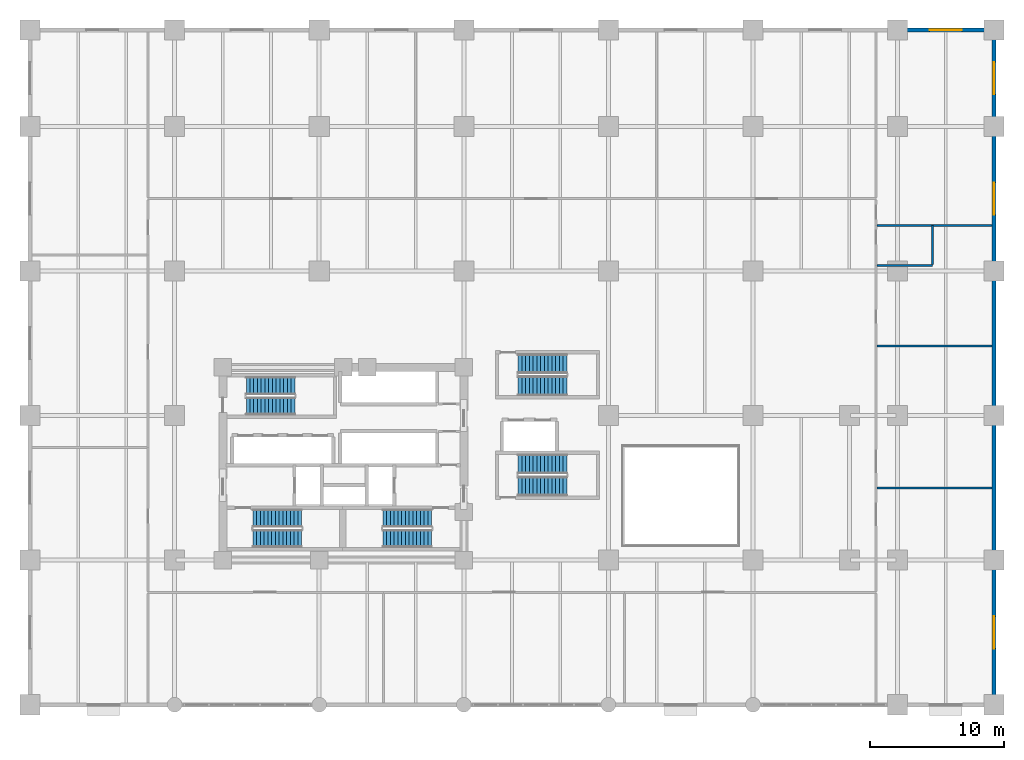
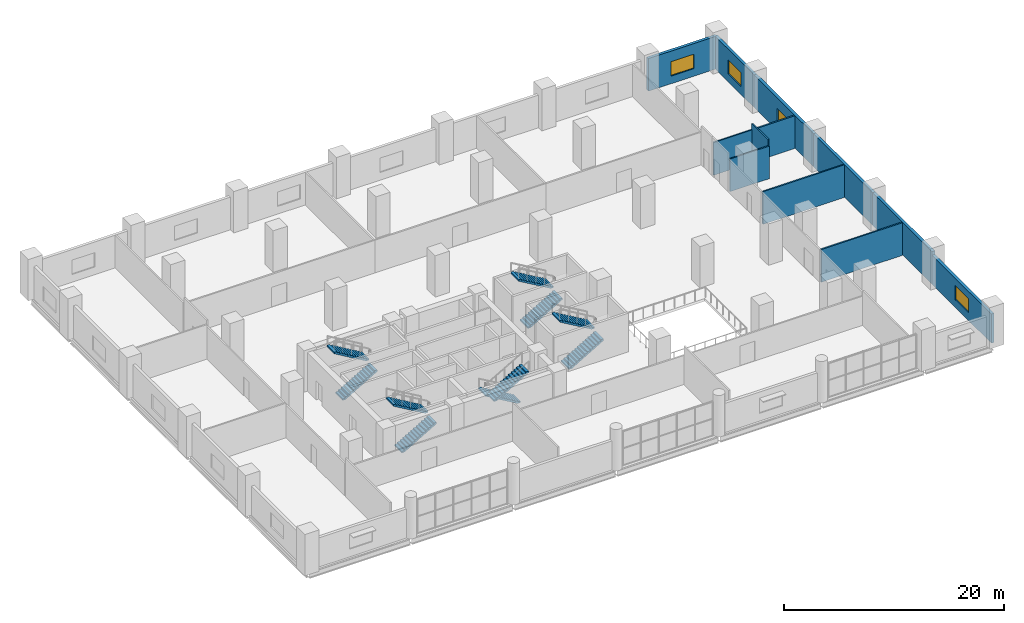
# One storey, part 13 of 16: 11 walls, 10 stair flights, 4 windows, 4 openings, 5 elements without a shape of their own.
"""IFC4 building model written with IfcOpenShell, lengths in metres."""

from ifc_helpers import new_model, si_unit, direction, frame, frame_2d, origin, place, context, subcontext, project, spatial, polyline, rectangle, outline, extrude, material, layer, layer_set, type_object, element, fill, aggregate, save


model = new_model("IFC4")

# Units and contexts
model_context = context("Model", 3, precision=1e-05, world=origin(), true_north=direction((0.0, 1.0)))
body_context = subcontext(model_context, "Body", "Model", "MODEL_VIEW")
ifc_project = project(units=[si_unit("LENGTHUNIT", "METRE"), si_unit("AREAUNIT", "SQUARE_METRE"), si_unit("VOLUMEUNIT", "CUBIC_METRE"), si_unit("PLANEANGLEUNIT", "RADIAN"), si_unit("MASSUNIT", "GRAM", prefix="KILO")], contexts=[model_context])

# Site, building, storey
site_placement = place(None, origin())
site = spatial("IfcSite", under=ifc_project, at=site_placement, CompositionType="ELEMENT")
building_placement = place(site_placement, origin())
building = spatial("IfcBuilding", under=site, at=building_placement, Name="Solnavia Interchange Tower", CompositionType="ELEMENT")
storey_placement = place(building_placement, frame((0.0, 0.0, 10.199951171875)))
storey = spatial("IfcBuildingStorey", under=building, at=storey_placement, Name="L02", CompositionType="ELEMENT", Elevation=10.199951171875)

# Wall, opening, window
ifc_material_1 = material(Name="Concrete C40/50", Category="concrete")
ifc_layer_1 = layer(ifc_material_1, 0.300048828125)
ifc_layer_set_1 = layer_set([ifc_layer_1], Name="Concrete C40/50")
wall_type_1 = type_object("IfcWallType", Name="Wall-ExtSpandrel-300", PredefinedType="STANDARD", material=ifc_layer_set_1)
wall_1_placement = place(storey_placement, frame((72.0, 10.800048828125, 0.0), z_axis=(0.0, 0.0, 1.0), x_axis=(0.0, -1.0, 0.0)))
wall_1 = element("IfcWall", 1, at=wall_1_placement, inside=storey, type_object=wall_type_1, Name="EXW-L02-E01 East podium wall", PredefinedType="STANDARD", context=body_context, shape_type="SweptSolid", body=[
    extrude(rectangle(XDim=10.800048828125, YDim=0.300048828125, at=frame_2d((5.39990234375, 0.0))), origin(), (0.0, 0.0, 1.0), 3.22998046875),
])
opening_1_placement = place(wall_1_placement, frame((4.199951171875, 0.0, 0.85009765625)))
opening_1 = element("IfcOpeningElement", 2, at=opening_1_placement, cuts=wall_1, Name="Opening WIN-06", PredefinedType="OPENING", context=body_context, shape_type="SweptSolid", body=[
    extrude(rectangle(XDim=2.39990234375, YDim=1.60009765625, at=frame_2d((1.199951171875, 0.800048828125))), frame((0.0, 0.16015625, 0.0), z_axis=(0.0, -1.0, 0.0), x_axis=(1.0, 0.0, 0.0)), (0.0, 0.0, 1.0), 0.320068359375),
])
ifc_material_2 = material(Name="Thermal-Break Aluminium & Low-E Glass", Category="aluminium")
window_type = type_object("IfcWindowType", Name="Window-Podium-2400x1600", PartitioningType="SINGLE_PANEL", PredefinedType="WINDOW", material=ifc_material_2)
window_1_placement = place(opening_1_placement, origin())
window_1 = element("IfcWindow", 3, at=window_1_placement, inside=storey, type_object=window_type, Name="WIN-L02-E01 East podium window", OverallHeight=1.60009765625, OverallWidth=2.39990234375, PartitioningType="SINGLE_PANEL", PredefinedType="WINDOW", context=body_context, shape_type="SweptSolid", body=[
    extrude(rectangle(XDim=2.39990234375, YDim=1.60009765625, at=frame_2d((1.199951171875, 0.800048828125))), frame((0.0, 0.030029296875, 0.0), z_axis=(0.0, -1.0, 0.0), x_axis=(1.0, 0.0, 0.0)), (0.0, 0.0, 1.0), 0.06005859375),
])
fill(opening_1, window_1)

# Walls
wall_2_placement = place(storey_placement, frame((72.0, 21.60009765625, 0.0), z_axis=(0.0, 0.0, 1.0), x_axis=(0.0, -1.0, 0.0)))
element("IfcWall", 4, at=wall_2_placement, inside=storey, type_object=wall_type_1, Name="EXW-L02-E02 East podium wall", PredefinedType="STANDARD", context=body_context, shape_type="SweptSolid", body=[
    extrude(rectangle(XDim=10.800048828125, YDim=0.300048828125, at=frame_2d((5.39990234375, 0.0))), origin(), (0.0, 0.0, 1.0), 3.630126953125),
])
wall_3_placement = place(storey_placement, frame((72.0, 32.39990234375, 0.0), z_axis=(0.0, 0.0, 1.0), x_axis=(0.0, -1.0, 0.0)))
element("IfcWall", 5, at=wall_3_placement, inside=storey, type_object=wall_type_1, Name="EXW-L02-E03 East podium wall", PredefinedType="STANDARD", context=body_context, shape_type="SweptSolid", body=[
    extrude(rectangle(XDim=10.7998046875, YDim=0.300048828125, at=frame_2d((5.39990234375, 0.0))), origin(), (0.0, 0.0, 1.0), 3.630126953125),
])

# Wall, opening, window
wall_4_placement = place(storey_placement, frame((72.0, 43.199951171875, 0.0), z_axis=(0.0, 0.0, 1.0), x_axis=(0.0, -1.0, 0.0)))
wall_4 = element("IfcWall", 6, at=wall_4_placement, inside=storey, type_object=wall_type_1, Name="EXW-L02-E04 East podium wall", PredefinedType="STANDARD", context=body_context, shape_type="SweptSolid", body=[
    extrude(rectangle(XDim=10.800048828125, YDim=0.300048828125, at=frame_2d((5.39990234375, 0.0))), origin(), (0.0, 0.0, 1.0), 3.630126953125),
])
opening_2_placement = place(wall_4_placement, frame((4.199951171875, 0.0, 0.85009765625)))
opening_2 = element("IfcOpeningElement", 7, at=opening_2_placement, cuts=wall_4, Name="Opening WIN-06", PredefinedType="OPENING", context=body_context, shape_type="SweptSolid", body=[
    extrude(rectangle(XDim=2.39990234375, YDim=1.60009765625, at=frame_2d((1.199951171875, 0.800048828125))), frame((0.0, 0.16015625, 0.0), z_axis=(0.0, -1.0, 0.0), x_axis=(1.0, 0.0, 0.0)), (0.0, 0.0, 1.0), 0.320068359375),
])
window_2_placement = place(opening_2_placement, origin())
window_2 = element("IfcWindow", 8, at=window_2_placement, inside=storey, type_object=window_type, Name="WIN-L02-E04 East podium window", OverallHeight=1.60009765625, OverallWidth=2.39990234375, PartitioningType="SINGLE_PANEL", PredefinedType="WINDOW", context=body_context, shape_type="SweptSolid", body=[
    extrude(rectangle(XDim=2.39990234375, YDim=1.60009765625, at=frame_2d((1.199951171875, 0.800048828125))), frame((0.0, 0.030029296875, 0.0), z_axis=(0.0, -1.0, 0.0), x_axis=(1.0, 0.0, 0.0)), (0.0, 0.0, 1.0), 0.06005859375),
])
fill(opening_2, window_2)

wall_5_placement = place(storey_placement, frame((72.0, 50.39990234375, 0.0), z_axis=(0.0, 0.0, 1.0), x_axis=(0.0, -1.0, 0.0)))
wall_5 = element("IfcWall", 9, at=wall_5_placement, inside=storey, type_object=wall_type_1, Name="EXW-L02-E05 East podium wall", PredefinedType="STANDARD", context=body_context, shape_type="SweptSolid", body=[
    extrude(rectangle(XDim=7.199951171875, YDim=0.300048828125, at=frame_2d((3.60009765625, 0.0))), origin(), (0.0, 0.0, 1.0), 3.630126953125),
])
opening_3_placement = place(wall_5_placement, frame((2.39990234375, 0.0, 0.85009765625)))
opening_3 = element("IfcOpeningElement", 10, at=opening_3_placement, cuts=wall_5, Name="Opening WIN-06", PredefinedType="OPENING", context=body_context, shape_type="SweptSolid", body=[
    extrude(rectangle(XDim=2.39990234375, YDim=1.60009765625, at=frame_2d((1.199951171875, 0.800048828125))), frame((0.0, 0.16015625, 0.0), z_axis=(0.0, -1.0, 0.0), x_axis=(1.0, 0.0, 0.0)), (0.0, 0.0, 1.0), 0.320068359375),
])
window_3_placement = place(opening_3_placement, origin())
window_3 = element("IfcWindow", 11, at=window_3_placement, inside=storey, type_object=window_type, Name="WIN-L02-E05 East podium window", OverallHeight=1.60009765625, OverallWidth=2.39990234375, PartitioningType="SINGLE_PANEL", PredefinedType="WINDOW", context=body_context, shape_type="SweptSolid", body=[
    extrude(rectangle(XDim=2.39990234375, YDim=1.60009765625, at=frame_2d((1.199951171875, 0.800048828125))), frame((0.0, 0.030029296875, 0.0), z_axis=(0.0, -1.0, 0.0), x_axis=(1.0, 0.0, 0.0)), (0.0, 0.0, 1.0), 0.06005859375),
])
fill(opening_3, window_3)

wall_6_placement = place(storey_placement, frame((64.800048828125, 50.39990234375, 0.0), z_axis=(0.0, 0.0, 1.0), x_axis=(1.0, 0.0, 0.0)))
wall_6 = element("IfcWall", 12, at=wall_6_placement, inside=storey, type_object=wall_type_1, Name="EXW-L02-N07 North podium wall", PredefinedType="STANDARD", context=body_context, shape_type="SweptSolid", body=[
    extrude(rectangle(XDim=7.199951171875, YDim=0.300048828125, at=frame_2d((3.60009765625, 0.0))), origin(), (0.0, 0.0, 1.0), 3.630126953125),
])
opening_4_placement = place(wall_6_placement, frame((2.39990234375, 0.0, 0.85009765625)))
opening_4 = element("IfcOpeningElement", 13, at=opening_4_placement, cuts=wall_6, Name="Opening WIN-06", PredefinedType="OPENING", context=body_context, shape_type="SweptSolid", body=[
    extrude(rectangle(XDim=2.39990234375, YDim=1.60009765625, at=frame_2d((1.199951171875, 0.800048828125))), frame((0.0, 0.16015625, 0.0), z_axis=(0.0, -1.0, 0.0), x_axis=(1.0, 0.0, 0.0)), (0.0, 0.0, 1.0), 0.320068359375),
])
window_4_placement = place(opening_4_placement, origin())
window_4 = element("IfcWindow", 14, at=window_4_placement, inside=storey, type_object=window_type, Name="WIN-L02-N07 North podium window", OverallHeight=1.60009765625, OverallWidth=2.39990234375, PartitioningType="SINGLE_PANEL", PredefinedType="WINDOW", context=body_context, shape_type="SweptSolid", body=[
    extrude(rectangle(XDim=2.39990234375, YDim=1.60009765625, at=frame_2d((1.199951171875, 0.800048828125))), frame((0.0, 0.030029296875, 0.0), z_axis=(0.0, -1.0, 0.0), x_axis=(1.0, 0.0, 0.0)), (0.0, 0.0, 1.0), 0.06005859375),
])
fill(opening_4, window_4)

# Walls
ifc_material_3 = material(Name="Gypsum Plasterboard & Steel Stud", Category="steel")
ifc_layer_2 = layer(ifc_material_3, 0.14990234375)
ifc_layer_set_2 = layer_set([ifc_layer_2], Name="Gypsum Plasterboard & Steel Stud")
wall_type_2 = type_object("IfcWallType", Name="Wall-Partition-150", PredefinedType="PARTITIONING", material=ifc_layer_set_2)
wall_7_placement = place(storey_placement, frame((63.279052734375, 16.199951171875, 0.0), z_axis=(0.0, 0.0, 1.0), x_axis=(1.0, 0.0, 0.0)))
element("IfcWall", 15, at=wall_7_placement, inside=storey, type_object=wall_type_2, Name="PTW-L02-20 Interior partition wall", PredefinedType="PARTITIONING", context=body_context, shape_type="SweptSolid", body=[
    extrude(rectangle(XDim=8.56689453125, YDim=0.14990234375, at=frame_2d((4.283447265625, 0.0))), origin(), (0.0, 0.0, 1.0), 3.630126953125),
])
ifc_material_4 = material(Name="Moisture-Resistant Gypsum & Steel Stud", Category="steel")
ifc_layer_3 = layer(ifc_material_4, 0.14990234375)
ifc_layer_set_3 = layer_set([ifc_layer_3], Name="Moisture-Resistant Gypsum & Steel Stud")
wall_type_3 = type_object("IfcWallType", Name="Wall-WetRoom-150", PredefinedType="PARTITIONING", material=ifc_layer_set_3)
wall_8_placement = place(storey_placement, frame((63.279052734375, 26.800048828125, 0.0), z_axis=(0.0, 0.0, 1.0), x_axis=(1.0, 0.0, 0.0)))
element("IfcWall", 16, at=wall_8_placement, inside=storey, type_object=wall_type_3, Name="PTW-L02-22 Interior partition wall", PredefinedType="PARTITIONING", context=body_context, shape_type="SweptSolid", body=[
    extrude(rectangle(XDim=8.56689453125, YDim=0.14990234375, at=frame_2d((4.283447265625, 0.0))), origin(), (0.0, 0.0, 1.0), 3.630126953125),
])
wall_9_placement = place(storey_placement, frame((63.279052734375, 32.800048828125, 0.0), z_axis=(0.0, 0.0, 1.0), x_axis=(1.0, 0.0, 0.0)))
element("IfcWall", 17, at=wall_9_placement, inside=storey, type_object=wall_type_3, Name="PTW-L02-24 Interior partition wall", PredefinedType="PARTITIONING", context=body_context, shape_type="SweptSolid", body=[
    extrude(rectangle(XDim=4.120849609375, YDim=0.14990234375, at=frame_2d((2.060546875, 0.0))), origin(), (0.0, 0.0, 1.0), 3.630126953125),
])
wall_10_placement = place(storey_placement, frame((67.39990234375, 32.87890625, 0.0), z_axis=(0.0, 0.0, 1.0), x_axis=(0.0, 1.0, 0.0)))
element("IfcWall", 18, at=wall_10_placement, inside=storey, type_object=wall_type_3, Name="PTW-L02-25 Interior partition wall", PredefinedType="PARTITIONING", context=body_context, shape_type="SweptSolid", body=[
    extrude(rectangle(XDim=2.921142578125, YDim=0.14990234375, at=frame_2d((1.46044921875, 0.0))), origin(), (0.0, 0.0, 1.0), 4.28515625),
])
wall_11_placement = place(storey_placement, frame((63.279052734375, 35.800048828125, 0.0), z_axis=(0.0, 0.0, 1.0), x_axis=(1.0, 0.0, 0.0)))
element("IfcWall", 19, at=wall_11_placement, inside=storey, type_object=wall_type_3, Name="PTW-L02-27 Interior partition wall", PredefinedType="PARTITIONING", context=body_context, shape_type="SweptSolid", body=[
    extrude(rectangle(XDim=8.56689453125, YDim=0.14990234375, at=frame_2d((4.283447265625, 0.0))), origin(), (0.0, 0.0, 1.0), 3.630126953125),
])

# Stair, stair flights
stair_type = type_object("IfcStairType", Name="Stair-Dogleg-RC", PredefinedType="HALF_TURN_STAIR", material=ifc_material_1)
stair_1_placement = place(storey_placement, origin())
stair_1 = element("IfcStair", 20, at=stair_1_placement, inside=storey, type_object=stair_type, Name="L02 Core exit stair 1", PredefinedType="HALF_TURN_STAIR")
stair_flight_type = type_object("IfcStairFlightType", Name="StairFlight-RC-150", PredefinedType="STRAIGHT", material=ifc_material_1)
stair_flight_1_placement = place(storey_placement, frame((16.64990234375, 12.409912109375, 0.0), z_axis=(0.0, 0.0, 1.0), x_axis=(1.0, 0.0, 0.0)))
stair_flight_1 = element("IfcStairFlight", 21, at=stair_flight_1_placement, type_object=stair_flight_type, Name="ST-1 flight 1", NumberOfRisers=14, NumberOfTreads=13, PredefinedType="STRAIGHT", RiserHeight=0.164285714, TreadLength=0.28, context=body_context, shape_type="SweptSolid", body=[
    extrude(outline(polyline([(0.0, 0.0), (0.0, 0.164306640625), (0.280029296875, 0.164306640625), (0.280029296875, 0.32861328125), (0.56005859375, 0.32861328125), (0.56005859375, 0.492919921875), (0.840087890625, 0.492919921875), (0.840087890625, 0.6572265625), (1.1201171875, 0.6572265625), (1.1201171875, 0.821533203125), (1.39990234375, 0.821533203125), (1.39990234375, 0.985595703125), (1.679931640625, 0.985595703125), (1.679931640625, 1.14990234375), (1.9599609375, 1.14990234375), (1.9599609375, 1.314208984375), (2.239990234375, 1.314208984375), (2.239990234375, 1.478515625), (2.52001953125, 1.478515625), (2.52001953125, 1.642822265625), (2.800048828125, 1.642822265625), (2.800048828125, 1.80712890625), (3.080078125, 1.80712890625), (3.080078125, 1.971435546875), (3.360107421875, 1.971435546875), (3.360107421875, 2.1357421875), (3.639892578125, 2.1357421875), (3.639892578125, 2.300048828125), (3.639892578125, 1.9619140625), (0.296142578125, 0.0), (0.0, 0.0)])), frame((0.0, 0.66015625, 0.0), z_axis=(0.0, -1.0, 0.0), x_axis=(1.0, 0.0, 0.0)), (0.0, 0.0, 1.0), 1.320068359375),
])
stair_flight_2_placement = place(storey_placement, frame((20.2900390625, 13.929931640625, 2.300048828125), z_axis=(0.0, 0.0, 1.0), x_axis=(-1.0, 0.0, 0.0)))
stair_flight_2 = element("IfcStairFlight", 22, at=stair_flight_2_placement, type_object=stair_flight_type, Name="ST-1 flight 2", NumberOfRisers=14, NumberOfTreads=13, PredefinedType="STRAIGHT", RiserHeight=0.164285714, TreadLength=0.28, context=body_context, shape_type="SweptSolid", body=[
    extrude(outline(polyline([(0.0, 0.0), (0.0, 0.164306640625), (0.280029296875, 0.164306640625), (0.280029296875, 0.32861328125), (0.56005859375, 0.32861328125), (0.56005859375, 0.492919921875), (0.840087890625, 0.492919921875), (0.840087890625, 0.6572265625), (1.1201171875, 0.6572265625), (1.1201171875, 0.821533203125), (1.39990234375, 0.821533203125), (1.39990234375, 0.985595703125), (1.679931640625, 0.985595703125), (1.679931640625, 1.14990234375), (1.9599609375, 1.14990234375), (1.9599609375, 1.314208984375), (2.239990234375, 1.314208984375), (2.239990234375, 1.478515625), (2.52001953125, 1.478515625), (2.52001953125, 1.642822265625), (2.800048828125, 1.642822265625), (2.800048828125, 1.80712890625), (3.080078125, 1.80712890625), (3.080078125, 1.971435546875), (3.360107421875, 1.971435546875), (3.360107421875, 2.1357421875), (3.639892578125, 2.1357421875), (3.639892578125, 2.300048828125), (3.639892578125, 1.9619140625), (0.296142578125, 0.0), (0.0, 0.0)])), frame((0.0, 0.66015625, 0.0), z_axis=(0.0, -1.0, 0.0), x_axis=(1.0, 0.0, 0.0)), (0.0, 0.0, 1.0), 1.320068359375),
])
aggregate(stair_1, [stair_flight_1, stair_flight_2])

stair_2_placement = place(storey_placement, origin())
stair_2 = element("IfcStair", 23, at=stair_2_placement, inside=storey, type_object=stair_type, Name="L02 Core exit stair 2", PredefinedType="HALF_TURN_STAIR")
stair_flight_3_placement = place(storey_placement, frame((30.0, 13.929931640625, 0.0), z_axis=(0.0, 0.0, 1.0), x_axis=(-1.0, 0.0, 0.0)))
stair_flight_3 = element("IfcStairFlight", 24, at=stair_flight_3_placement, type_object=stair_flight_type, Name="ST-2 flight 1", NumberOfRisers=14, NumberOfTreads=13, PredefinedType="STRAIGHT", RiserHeight=0.164285714, TreadLength=0.28, context=body_context, shape_type="SweptSolid", body=[
    extrude(outline(polyline([(0.0, 0.0), (0.0, 0.164306640625), (0.280029296875, 0.164306640625), (0.280029296875, 0.32861328125), (0.56005859375, 0.32861328125), (0.56005859375, 0.492919921875), (0.840087890625, 0.492919921875), (0.840087890625, 0.6572265625), (1.1201171875, 0.6572265625), (1.1201171875, 0.821533203125), (1.39990234375, 0.821533203125), (1.39990234375, 0.985595703125), (1.679931640625, 0.985595703125), (1.679931640625, 1.14990234375), (1.9599609375, 1.14990234375), (1.9599609375, 1.314208984375), (2.239990234375, 1.314208984375), (2.239990234375, 1.478515625), (2.52001953125, 1.478515625), (2.52001953125, 1.642822265625), (2.800048828125, 1.642822265625), (2.800048828125, 1.80712890625), (3.080078125, 1.80712890625), (3.080078125, 1.971435546875), (3.360107421875, 1.971435546875), (3.360107421875, 2.1357421875), (3.639892578125, 2.1357421875), (3.639892578125, 2.300048828125), (3.639892578125, 1.9619140625), (0.296142578125, 0.0), (0.0, 0.0)])), frame((0.0, 0.66015625, 0.0), z_axis=(0.0, -1.0, 0.0), x_axis=(1.0, 0.0, 0.0)), (0.0, 0.0, 1.0), 1.320068359375),
])
stair_flight_4_placement = place(storey_placement, frame((26.360107421875, 12.409912109375, 2.300048828125), z_axis=(0.0, 0.0, 1.0), x_axis=(1.0, 0.0, 0.0)))
stair_flight_4 = element("IfcStairFlight", 25, at=stair_flight_4_placement, type_object=stair_flight_type, Name="ST-2 flight 2", NumberOfRisers=14, NumberOfTreads=13, PredefinedType="STRAIGHT", RiserHeight=0.164285714, TreadLength=0.28, context=body_context, shape_type="SweptSolid", body=[
    extrude(outline(polyline([(0.0, 0.0), (0.0, 0.164306640625), (0.280029296875, 0.164306640625), (0.280029296875, 0.32861328125), (0.56005859375, 0.32861328125), (0.56005859375, 0.492919921875), (0.840087890625, 0.492919921875), (0.840087890625, 0.6572265625), (1.1201171875, 0.6572265625), (1.1201171875, 0.821533203125), (1.39990234375, 0.821533203125), (1.39990234375, 0.985595703125), (1.679931640625, 0.985595703125), (1.679931640625, 1.14990234375), (1.9599609375, 1.14990234375), (1.9599609375, 1.314208984375), (2.239990234375, 1.314208984375), (2.239990234375, 1.478515625), (2.52001953125, 1.478515625), (2.52001953125, 1.642822265625), (2.800048828125, 1.642822265625), (2.800048828125, 1.80712890625), (3.080078125, 1.80712890625), (3.080078125, 1.971435546875), (3.360107421875, 1.971435546875), (3.360107421875, 2.1357421875), (3.639892578125, 2.1357421875), (3.639892578125, 2.300048828125), (3.639892578125, 1.9619140625), (0.296142578125, 0.0), (0.0, 0.0)])), frame((0.0, 0.66015625, 0.0), z_axis=(0.0, -1.0, 0.0), x_axis=(1.0, 0.0, 0.0)), (0.0, 0.0, 1.0), 1.320068359375),
])
aggregate(stair_2, [stair_flight_3, stair_flight_4])

stair_3_placement = place(storey_placement, origin())
stair_3 = element("IfcStair", 26, at=stair_3_placement, inside=storey, type_object=stair_type, Name="L02 Core exit stair 3", PredefinedType="HALF_TURN_STAIR")
stair_flight_5_placement = place(storey_placement, frame((16.14990234375, 22.31005859375, 0.0), z_axis=(0.0, 0.0, 1.0), x_axis=(1.0, 0.0, 0.0)))
stair_flight_5 = element("IfcStairFlight", 27, at=stair_flight_5_placement, type_object=stair_flight_type, Name="ST-3 flight 1", NumberOfRisers=14, NumberOfTreads=13, PredefinedType="STRAIGHT", RiserHeight=0.164285714, TreadLength=0.28, context=body_context, shape_type="SweptSolid", body=[
    extrude(outline(polyline([(0.0, 0.0), (0.0, 0.164306640625), (0.280029296875, 0.164306640625), (0.280029296875, 0.32861328125), (0.56005859375, 0.32861328125), (0.56005859375, 0.492919921875), (0.840087890625, 0.492919921875), (0.840087890625, 0.6572265625), (1.1201171875, 0.6572265625), (1.1201171875, 0.821533203125), (1.39990234375, 0.821533203125), (1.39990234375, 0.985595703125), (1.679931640625, 0.985595703125), (1.679931640625, 1.14990234375), (1.9599609375, 1.14990234375), (1.9599609375, 1.314208984375), (2.239990234375, 1.314208984375), (2.239990234375, 1.478515625), (2.52001953125, 1.478515625), (2.52001953125, 1.642822265625), (2.800048828125, 1.642822265625), (2.800048828125, 1.80712890625), (3.080078125, 1.80712890625), (3.080078125, 1.971435546875), (3.360107421875, 1.971435546875), (3.360107421875, 2.1357421875), (3.639892578125, 2.1357421875), (3.639892578125, 2.300048828125), (3.639892578125, 1.9619140625), (0.296142578125, 0.0), (0.0, 0.0)])), frame((0.0, 0.66015625, 0.0), z_axis=(0.0, -1.0, 0.0), x_axis=(1.0, 0.0, 0.0)), (0.0, 0.0, 1.0), 1.320068359375),
])
stair_flight_6_placement = place(storey_placement, frame((19.7900390625, 23.830078125, 2.300048828125), z_axis=(0.0, 0.0, 1.0), x_axis=(-1.0, 0.0, 0.0)))
stair_flight_6 = element("IfcStairFlight", 28, at=stair_flight_6_placement, type_object=stair_flight_type, Name="ST-3 flight 2", NumberOfRisers=14, NumberOfTreads=13, PredefinedType="STRAIGHT", RiserHeight=0.164285714, TreadLength=0.28, context=body_context, shape_type="SweptSolid", body=[
    extrude(outline(polyline([(0.0, 0.0), (0.0, 0.164306640625), (0.280029296875, 0.164306640625), (0.280029296875, 0.32861328125), (0.56005859375, 0.32861328125), (0.56005859375, 0.492919921875), (0.840087890625, 0.492919921875), (0.840087890625, 0.6572265625), (1.1201171875, 0.6572265625), (1.1201171875, 0.821533203125), (1.39990234375, 0.821533203125), (1.39990234375, 0.985595703125), (1.679931640625, 0.985595703125), (1.679931640625, 1.14990234375), (1.9599609375, 1.14990234375), (1.9599609375, 1.314208984375), (2.239990234375, 1.314208984375), (2.239990234375, 1.478515625), (2.52001953125, 1.478515625), (2.52001953125, 1.642822265625), (2.800048828125, 1.642822265625), (2.800048828125, 1.80712890625), (3.080078125, 1.80712890625), (3.080078125, 1.971435546875), (3.360107421875, 1.971435546875), (3.360107421875, 2.1357421875), (3.639892578125, 2.1357421875), (3.639892578125, 2.300048828125), (3.639892578125, 1.9619140625), (0.296142578125, 0.0), (0.0, 0.0)])), frame((0.0, 0.66015625, 0.0), z_axis=(0.0, -1.0, 0.0), x_axis=(1.0, 0.0, 0.0)), (0.0, 0.0, 1.0), 1.320068359375),
])
aggregate(stair_3, [stair_flight_5, stair_flight_6])

stair_4_placement = place(storey_placement, origin())
stair_4 = element("IfcStair", 29, at=stair_4_placement, inside=storey, type_object=stair_type, Name="L02 Podium exit stair 1", PredefinedType="HALF_TURN_STAIR")
stair_flight_7_placement = place(storey_placement, frame((36.449951171875, 16.324951171875, 0.0), z_axis=(0.0, 0.0, 1.0), x_axis=(1.0, 0.0, 0.0)))
stair_flight_7 = element("IfcStairFlight", 30, at=stair_flight_7_placement, type_object=stair_flight_type, Name="ST-P1 flight 1", NumberOfRisers=14, NumberOfTreads=13, PredefinedType="STRAIGHT", RiserHeight=0.164285714, TreadLength=0.28, context=body_context, shape_type="SweptSolid", body=[
    extrude(outline(polyline([(0.0, 0.0), (0.0, 0.164306640625), (0.280029296875, 0.164306640625), (0.280029296875, 0.32861328125), (0.56005859375, 0.32861328125), (0.56005859375, 0.492919921875), (0.840087890625, 0.492919921875), (0.840087890625, 0.6572265625), (1.1201171875, 0.6572265625), (1.1201171875, 0.821533203125), (1.39990234375, 0.821533203125), (1.39990234375, 0.985595703125), (1.679931640625, 0.985595703125), (1.679931640625, 1.14990234375), (1.9599609375, 1.14990234375), (1.9599609375, 1.314208984375), (2.239990234375, 1.314208984375), (2.239990234375, 1.478515625), (2.52001953125, 1.478515625), (2.52001953125, 1.642822265625), (2.800048828125, 1.642822265625), (2.800048828125, 1.80712890625), (3.080078125, 1.80712890625), (3.080078125, 1.971435546875), (3.360107421875, 1.971435546875), (3.360107421875, 2.1357421875), (3.639892578125, 2.1357421875), (3.639892578125, 2.300048828125), (3.639892578125, 1.9619140625), (0.296142578125, 0.0), (0.0, 0.0)])), frame((0.0, 0.72509765625, 0.0), z_axis=(0.0, -1.0, 0.0), x_axis=(1.0, 0.0, 0.0)), (0.0, 0.0, 1.0), 1.449951171875),
])
stair_flight_8_placement = place(storey_placement, frame((40.090087890625, 17.97509765625, 2.300048828125), z_axis=(0.0, 0.0, 1.0), x_axis=(-1.0, 0.0, 0.0)))
stair_flight_8 = element("IfcStairFlight", 31, at=stair_flight_8_placement, type_object=stair_flight_type, Name="ST-P1 flight 2", NumberOfRisers=14, NumberOfTreads=13, PredefinedType="STRAIGHT", RiserHeight=0.164285714, TreadLength=0.28, context=body_context, shape_type="SweptSolid", body=[
    extrude(outline(polyline([(0.0, 0.0), (0.0, 0.164306640625), (0.280029296875, 0.164306640625), (0.280029296875, 0.32861328125), (0.56005859375, 0.32861328125), (0.56005859375, 0.492919921875), (0.840087890625, 0.492919921875), (0.840087890625, 0.6572265625), (1.1201171875, 0.6572265625), (1.1201171875, 0.821533203125), (1.39990234375, 0.821533203125), (1.39990234375, 0.985595703125), (1.679931640625, 0.985595703125), (1.679931640625, 1.14990234375), (1.9599609375, 1.14990234375), (1.9599609375, 1.314208984375), (2.239990234375, 1.314208984375), (2.239990234375, 1.478515625), (2.52001953125, 1.478515625), (2.52001953125, 1.642822265625), (2.800048828125, 1.642822265625), (2.800048828125, 1.80712890625), (3.080078125, 1.80712890625), (3.080078125, 1.971435546875), (3.360107421875, 1.971435546875), (3.360107421875, 2.1357421875), (3.639892578125, 2.1357421875), (3.639892578125, 2.300048828125), (3.639892578125, 1.9619140625), (0.296142578125, 0.0), (0.0, 0.0)])), frame((0.0, 0.72509765625, 0.0), z_axis=(0.0, -1.0, 0.0), x_axis=(1.0, 0.0, 0.0)), (0.0, 0.0, 1.0), 1.449951171875),
])
aggregate(stair_4, [stair_flight_7, stair_flight_8])

stair_5_placement = place(storey_placement, origin())
stair_5 = element("IfcStair", 32, at=stair_5_placement, inside=storey, type_object=stair_type, Name="L02 Podium exit stair 2", PredefinedType="HALF_TURN_STAIR")
stair_flight_9_placement = place(storey_placement, frame((36.449951171875, 23.824951171875, 0.0), z_axis=(0.0, 0.0, 1.0), x_axis=(1.0, 0.0, 0.0)))
stair_flight_9 = element("IfcStairFlight", 33, at=stair_flight_9_placement, type_object=stair_flight_type, Name="ST-P2 flight 1", NumberOfRisers=14, NumberOfTreads=13, PredefinedType="STRAIGHT", RiserHeight=0.164285714, TreadLength=0.28, context=body_context, shape_type="SweptSolid", body=[
    extrude(outline(polyline([(0.0, 0.0), (0.0, 0.164306640625), (0.280029296875, 0.164306640625), (0.280029296875, 0.32861328125), (0.56005859375, 0.32861328125), (0.56005859375, 0.492919921875), (0.840087890625, 0.492919921875), (0.840087890625, 0.6572265625), (1.1201171875, 0.6572265625), (1.1201171875, 0.821533203125), (1.39990234375, 0.821533203125), (1.39990234375, 0.985595703125), (1.679931640625, 0.985595703125), (1.679931640625, 1.14990234375), (1.9599609375, 1.14990234375), (1.9599609375, 1.314208984375), (2.239990234375, 1.314208984375), (2.239990234375, 1.478515625), (2.52001953125, 1.478515625), (2.52001953125, 1.642822265625), (2.800048828125, 1.642822265625), (2.800048828125, 1.80712890625), (3.080078125, 1.80712890625), (3.080078125, 1.971435546875), (3.360107421875, 1.971435546875), (3.360107421875, 2.1357421875), (3.639892578125, 2.1357421875), (3.639892578125, 2.300048828125), (3.639892578125, 1.9619140625), (0.296142578125, 0.0), (0.0, 0.0)])), frame((0.0, 0.72509765625, 0.0), z_axis=(0.0, -1.0, 0.0), x_axis=(1.0, 0.0, 0.0)), (0.0, 0.0, 1.0), 1.449951171875),
])
stair_flight_10_placement = place(storey_placement, frame((40.090087890625, 25.47509765625, 2.300048828125), z_axis=(0.0, 0.0, 1.0), x_axis=(-1.0, 0.0, 0.0)))
stair_flight_10 = element("IfcStairFlight", 34, at=stair_flight_10_placement, type_object=stair_flight_type, Name="ST-P2 flight 2", NumberOfRisers=14, NumberOfTreads=13, PredefinedType="STRAIGHT", RiserHeight=0.164285714, TreadLength=0.28, context=body_context, shape_type="SweptSolid", body=[
    extrude(outline(polyline([(0.0, 0.0), (0.0, 0.164306640625), (0.280029296875, 0.164306640625), (0.280029296875, 0.32861328125), (0.56005859375, 0.32861328125), (0.56005859375, 0.492919921875), (0.840087890625, 0.492919921875), (0.840087890625, 0.6572265625), (1.1201171875, 0.6572265625), (1.1201171875, 0.821533203125), (1.39990234375, 0.821533203125), (1.39990234375, 0.985595703125), (1.679931640625, 0.985595703125), (1.679931640625, 1.14990234375), (1.9599609375, 1.14990234375), (1.9599609375, 1.314208984375), (2.239990234375, 1.314208984375), (2.239990234375, 1.478515625), (2.52001953125, 1.478515625), (2.52001953125, 1.642822265625), (2.800048828125, 1.642822265625), (2.800048828125, 1.80712890625), (3.080078125, 1.80712890625), (3.080078125, 1.971435546875), (3.360107421875, 1.971435546875), (3.360107421875, 2.1357421875), (3.639892578125, 2.1357421875), (3.639892578125, 2.300048828125), (3.639892578125, 1.9619140625), (0.296142578125, 0.0), (0.0, 0.0)])), frame((0.0, 0.72509765625, 0.0), z_axis=(0.0, -1.0, 0.0), x_axis=(1.0, 0.0, 0.0)), (0.0, 0.0, 1.0), 1.449951171875),
])
aggregate(stair_5, [stair_flight_9, stair_flight_10])

save(model, "model.ifc")
